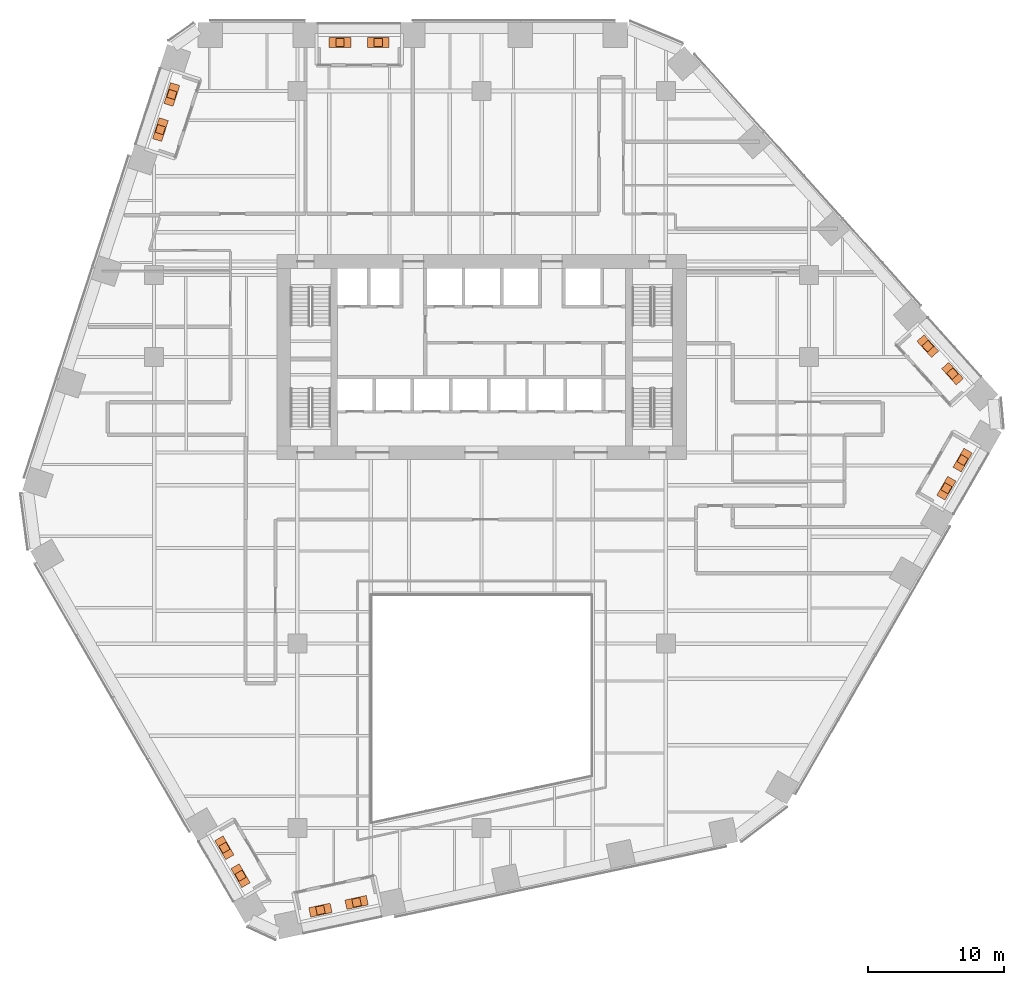
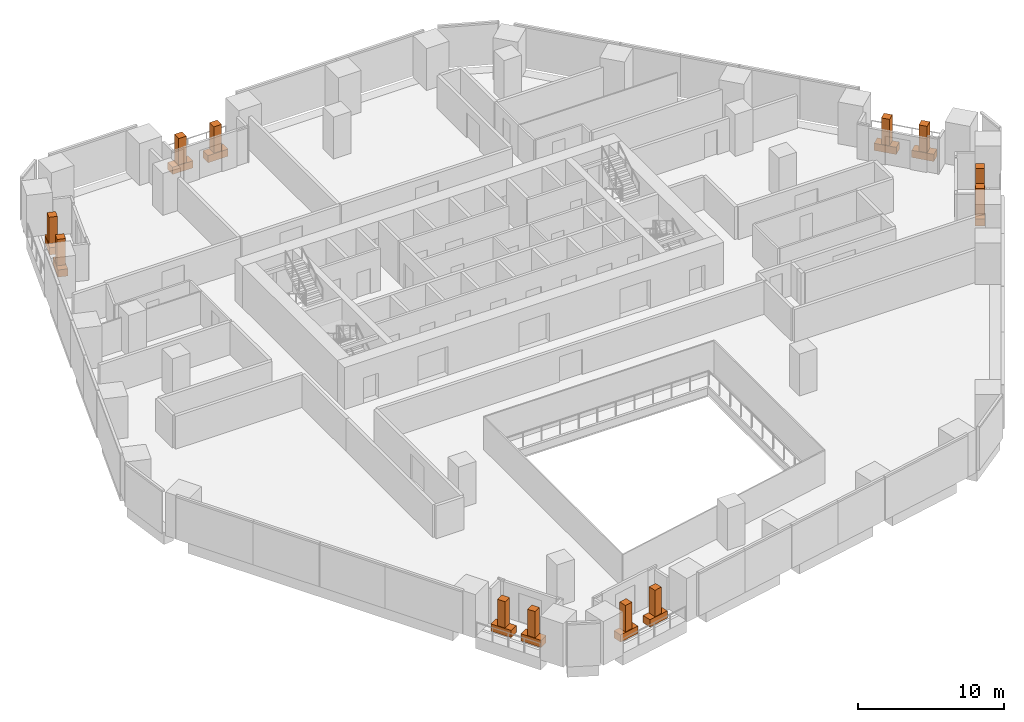
# One storey, part 28 of 28: 12 geographic elements, 12 proxies.
"""IFC4 building model written with IfcOpenShell, lengths in metres."""

from ifc_helpers import new_model, si_unit, direction, frame, origin, origin_2d, place, context, subcontext, project, spatial, rectangle, extrude, material, type_object, element, save


model = new_model("IFC4")

# Units and contexts
model_context = context("Model", 3, precision=1e-05, world=origin(), true_north=direction((0.0, 1.0)))
body_context = subcontext(model_context, "Body", "Model", "MODEL_VIEW")
ifc_project = project(units=[si_unit("LENGTHUNIT", "METRE"), si_unit("AREAUNIT", "SQUARE_METRE"), si_unit("VOLUMEUNIT", "CUBIC_METRE"), si_unit("PLANEANGLEUNIT", "RADIAN"), si_unit("MASSUNIT", "GRAM", prefix="KILO")], contexts=[model_context])

# Site, building, storey
site_placement = place(None, origin())
site = spatial("IfcSite", under=ifc_project, at=site_placement, CompositionType="ELEMENT")
building_placement = place(site_placement, origin())
building = spatial("IfcBuilding", under=site, at=building_placement, Name="Isthmus Gate Tower", CompositionType="ELEMENT")
storey_placement = place(building_placement, frame((0.0, 0.0, 68.85009765625)))
storey = spatial("IfcBuildingStorey", under=building, at=storey_placement, Name="L15", CompositionType="ELEMENT", Elevation=68.85009765625)

# Geographic elements
ifc_material_1 = material(Name="Plant material, broadleaf tree")
geographic_element_type = type_object("IfcGeographicElementType", Name="BROADLEAF TREE 2200 HIGH", PredefinedType="USERDEFINED", material=ifc_material_1)
for number, where, z_axis, x_axis, name in (
    (1, (-7.575927734375, 30.550048828125, 0.60009765625), (0.0, 0.0, 1.0), (-1.0, 0.0, 0.0), "TREE"),
    (2, (-10.367919921875, 30.550048828125, 0.60009765625), (0.0, 0.0, 1.0), (-1.0, 0.0, 0.0), "TREE"),
    (3, (-22.69775390625, 26.74267578125, 0.60009765625), (0.0, 0.0, 1.0), (-0.309016994375, -0.951056516295, 0.0), "TREE"),
    (4, (-23.534912109375, 24.166259765625, 0.60009765625), (0.0, 0.0, 1.0), (-0.309016994375, -0.951056516295, 0.0), "TREE"),
    (5, (-18.846435546875, -28.45703125, 0.60009765625), (0.0, 0.0, 1.0), (0.5, -0.866025403784, 0.0), "TREE"),
    (6, (-17.663330078125, -30.506103515625, 0.60009765625), (0.0, 0.0, 1.0), (0.5, -0.866025403784, 0.0), "TREE"),
    (7, (-11.81103515625, -33.028076171875, 0.60009765625), (0.0, 0.0, 1.0), (0.978147600734, 0.207911690818, 0.0), "TREE"),
    (8, (-9.1611328125, -32.46484375, 0.60009765625), (0.0, 0.0, 1.0), (0.978147600734, 0.207911690818, 0.0), "TREE"),
    (9, (34.058349609375, -2.109375, 0.60009765625), (0.0, 0.0, 1.0), (0.5, 0.866025403784, 0.0), "TREE"),
    (10, (35.247314453125, -0.0498046875, 0.60009765625), (0.0, 0.0, 1.0), (0.5, 0.866025403784, 0.0), "TREE"),
    (11, (34.5087890625, 6.285400390625, 0.60009765625), (0.0, 0.0, 1.0), (-0.669130606359, 0.743144825477, 0.0), "TREE"),
    (12, (32.696044921875, 8.298583984375, 0.60009765625), (0.0, 0.0, 1.0), (-0.669130606359, 0.743144825477, 0.0), "TREE"),
):
    element("IfcGeographicElement", number, at=place(storey_placement, frame(where, z_axis=z_axis, x_axis=x_axis)), inside=storey, type_object=geographic_element_type, Name=name, ObjectType="TREE", PredefinedType="USERDEFINED", context=body_context, shape_type="SweptSolid", body=[
        extrude(rectangle(XDim=0.60009765625, YDim=0.60009765625, at=origin_2d()), origin(), (0.0, 0.0, 1.0), 2.199951171875),
    ])

# Proxies
ifc_material_2 = material(Name="Concrete f'c 40 MPa", Category="concrete")
building_element_proxy_type = type_object("IfcBuildingElementProxyType", Name="CONCRETE PLANTER 1600 X 700 X 600", PredefinedType="USERDEFINED", material=ifc_material_2)
for number, where, z_axis, x_axis, name in (
    (13, (-7.575927734375, 30.550048828125, -0.000244140625), (0.0, 0.0, 1.0), (-1.0, 0.0, 0.0), "PLANTER"),
    (14, (-10.367919921875, 30.550048828125, -0.000244140625), (0.0, 0.0, 1.0), (-1.0, 0.0, 0.0), "PLANTER"),
    (15, (-22.69775390625, 26.74267578125, -0.000244140625), (0.0, 0.0, 1.0), (-0.309016994375, -0.951056516295, 0.0), "PLANTER"),
    (16, (-23.534912109375, 24.166259765625, -0.000244140625), (0.0, 0.0, 1.0), (-0.309016994375, -0.951056516295, 0.0), "PLANTER"),
    (17, (-18.846435546875, -28.45703125, -0.000244140625), (0.0, 0.0, 1.0), (0.5, -0.866025403784, 0.0), "PLANTER"),
    (18, (-17.663330078125, -30.506103515625, -0.000244140625), (0.0, 0.0, 1.0), (0.5, -0.866025403784, 0.0), "PLANTER"),
    (19, (-11.81103515625, -33.028076171875, -0.000244140625), (0.0, 0.0, 1.0), (0.978147600734, 0.207911690818, 0.0), "PLANTER"),
    (20, (-9.1611328125, -32.46484375, -0.000244140625), (0.0, 0.0, 1.0), (0.978147600734, 0.207911690818, 0.0), "PLANTER"),
    (21, (34.058349609375, -2.109375, -0.000244140625), (0.0, 0.0, 1.0), (0.5, 0.866025403784, 0.0), "PLANTER"),
    (22, (35.247314453125, -0.0498046875, -0.000244140625), (0.0, 0.0, 1.0), (0.5, 0.866025403784, 0.0), "PLANTER"),
    (23, (34.5087890625, 6.285400390625, -0.000244140625), (0.0, 0.0, 1.0), (-0.669130606359, 0.743144825477, 0.0), "PLANTER"),
    (24, (32.696044921875, 8.298583984375, -0.000244140625), (0.0, 0.0, 1.0), (-0.669130606359, 0.743144825477, 0.0), "PLANTER"),
):
    element("IfcBuildingElementProxy", number, at=place(storey_placement, frame(where, z_axis=z_axis, x_axis=x_axis)), inside=storey, type_object=building_element_proxy_type, Name=name, ObjectType="PLANTER", PredefinedType="USERDEFINED", context=body_context, shape_type="SweptSolid", body=[
        extrude(rectangle(XDim=1.60009765625, YDim=0.699951171875, at=origin_2d()), origin(), (0.0, 0.0, 1.0), 0.60009765625),
    ])

save(model, "model.ifc")
